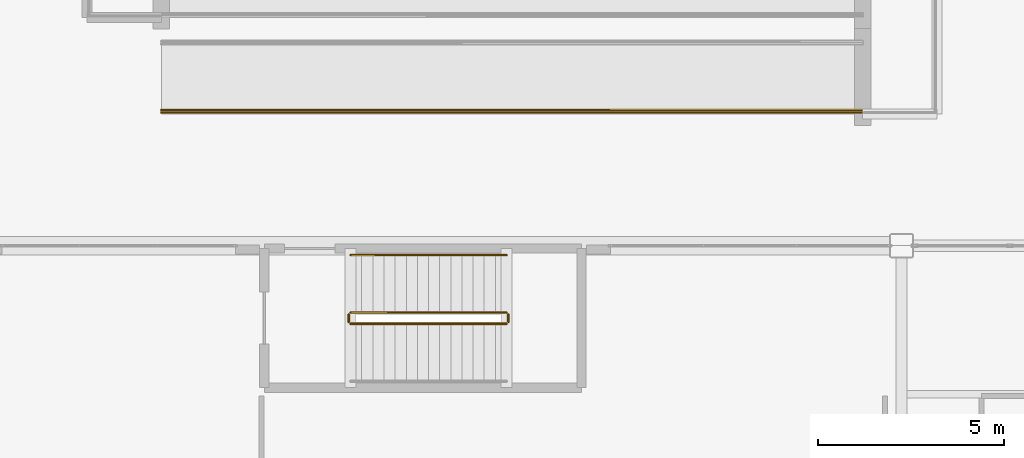
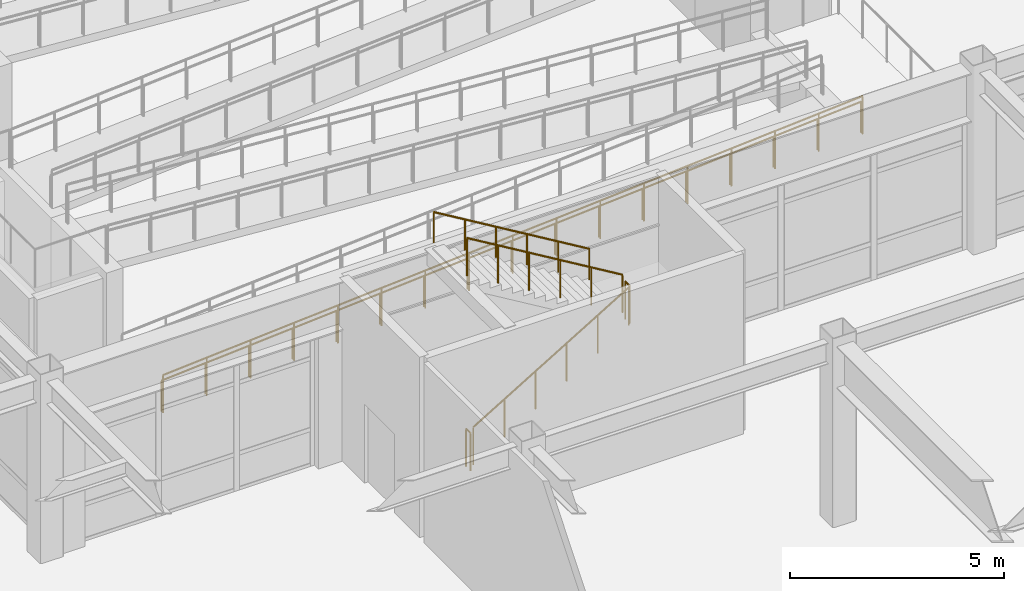
# One storey, part 150 of 165: 7 railings.
"""IFC4 building model written with IfcOpenShell, lengths in metres."""

import ifcopenshell
import ifcopenshell.guid

model = None  # the IFC model being written
_history = None  # IfcOwnerHistory: only IFC2X3 demands one
_inside = {}  # id of a spatial element -> (the spatial element, [elements in it])
_under = {}  # id of a project, library or spatial element -> (it, [spatial elements below it])
_declared = {}  # id of a project -> (the project, [libraries it declares])
_typed = {}  # id of a type object -> (the type object, [elements of that type])
_made_of = {}  # id of a material, layer set ... -> (it, [elements and type objects made of it])


def new_model(schema):
    """Start an empty IFC model of exactly this schema.

    Asked for "IFC4X3", IfcOpenShell would pick the latest addendum, in which some entities
    have other attributes; the version numbers below select the first issue.
    IFC2X3 requires an IfcOwnerHistory on every rooted entity: one is made here for all.
    """
    global model, _history
    if schema == "IFC4X3":
        model = ifcopenshell.file(schema_version=(4, 3, 0, 0))
    else:
        model = ifcopenshell.file(schema=schema)
    _inside.clear()
    _under.clear()
    _declared.clear()
    _typed.clear()
    _made_of.clear()
    _history = None
    if model.schema == "IFC2X3":
        org = make("IfcOrganization", Name="unknown")
        user = make(
            "IfcPersonAndOrganization",
            ThePerson=make("IfcPerson", FamilyName="unknown"),
            TheOrganization=org,
        )
        app = make(
            "IfcApplication",
            ApplicationDeveloper=org,
            Version="unknown",
            ApplicationFullName="unknown",
            ApplicationIdentifier="unknown",
        )
        _history = make(
            "IfcOwnerHistory",
            OwningUser=user,
            OwningApplication=app,
            ChangeAction="ADDED",
            CreationDate=0,
        )
    return model


def make(cls, **values):
    """One entity of the class cls with the attributes given. An attribute that is None is left unset."""
    return model.create_entity(
        cls, **{name: value for name, value in values.items() if value is not None}
    )


def rooted(cls, **values):
    """An entity with a GlobalId (a new one), such as an element, a storey or a relation."""
    return make(cls, GlobalId=ifcopenshell.guid.new(), OwnerHistory=_history, **values)


def si_unit(unit_type, name, prefix=None):
    """IfcSIUnit, for example si_unit("LENGTHUNIT", "METRE", prefix="MILLI")."""
    return make("IfcSIUnit", UnitType=unit_type, Prefix=prefix, Name=name)


def assignment(units):
    """IfcUnitAssignment: the units of a project."""
    return None if units is None else make("IfcUnitAssignment", Units=units)


def point(xyz):
    """IfcCartesianPoint."""
    return None if xyz is None else make("IfcCartesianPoint", Coordinates=xyz)


def direction(xyz):
    """IfcDirection."""
    return None if xyz is None else make("IfcDirection", DirectionRatios=xyz)


def frame(location, z_axis=None, x_axis=None):
    """IfcAxis2Placement3D, a coordinate frame: its origin and axes. An axis left out is left unset."""
    return make(
        "IfcAxis2Placement3D",
        Location=point(location),
        Axis=direction(z_axis),
        RefDirection=direction(x_axis),
    )


def frame_2d(location, x_axis=None):
    """IfcAxis2Placement2D, a coordinate frame in the plane: its origin and x axis."""
    return make(
        "IfcAxis2Placement2D", Location=point(location), RefDirection=direction(x_axis)
    )


def origin():
    """The frame at (0, 0, 0) with its axes left unset."""
    return frame((0.0, 0.0, 0.0))


def origin_2d():
    """The frame at (0, 0) in the plane with its x axis left unset."""
    return frame_2d((0.0, 0.0))


def place(relative_to, where):
    """IfcLocalPlacement: puts the frame where relative to a parent placement (None: the world)."""
    return make(
        "IfcLocalPlacement", PlacementRelTo=relative_to, RelativePlacement=where
    )


def context(
    kind, dimensions, precision=None, world=None, true_north=None, identifier=None
):
    """IfcGeometricRepresentationContext, for example the 3D "Model" context."""
    return make(
        "IfcGeometricRepresentationContext",
        ContextIdentifier=identifier,
        ContextType=kind,
        CoordinateSpaceDimension=dimensions,
        Precision=precision,
        WorldCoordinateSystem=world,
        TrueNorth=true_north,
    )


def subcontext(parent, identifier, kind, view, scale=None):
    """IfcGeometricRepresentationSubContext, for example "Body" below "Model"."""
    return make(
        "IfcGeometricRepresentationSubContext",
        ContextIdentifier=identifier,
        ContextType=kind,
        ParentContext=parent,
        TargetScale=scale,
        TargetView=view,
    )


def project(units=None, contexts=None):
    """IfcProject with its units and contexts."""
    return rooted(
        "IfcProject",
        Name="project",
        RepresentationContexts=contexts,
        UnitsInContext=assignment(units),
    )


def spatial(cls, under=None, at=None, **own):
    """A site, building, storey or space (cls), placed at a placement, below another one or the project."""
    s = rooted(cls, ObjectPlacement=at, **own)
    if under is not None:
        _under.setdefault(under.id(), (under, []))[1].append(s)
    return s


def profile(cls, at=None, kind="AREA", **sizes):
    """A parametric profile (cls). Its sizes go by their IFC names, for example OverallWidth=200.0."""
    return make(cls, ProfileType=kind, Position=at, **sizes)


def circle(**sizes):
    """IfcCircleProfileDef."""
    return profile("IfcCircleProfileDef", **sizes)


def extrude(swept, where, along, depth):
    """IfcExtrudedAreaSolid: the profile swept, set in the frame where, extruded along a direction by depth."""
    return make(
        "IfcExtrudedAreaSolid",
        SweptArea=swept,
        Position=where,
        ExtrudedDirection=direction(along),
        Depth=depth,
    )


def shape(context_of_items, identifier, shape_type, items):
    """IfcShapeRepresentation: the items that make up one representation, for example the "Body"."""
    return make(
        "IfcShapeRepresentation",
        ContextOfItems=context_of_items,
        RepresentationIdentifier=identifier,
        RepresentationType=shape_type,
        Items=items,
    )


def material(Name=None, Category=None):
    """IfcMaterial."""
    return make("IfcMaterial", Name=Name, Category=Category)


def made_of(thing, what):
    """Note that an element or type object is made of a material, layer set ...; save() writes the relation."""
    if what is not None:
        _made_of.setdefault(what.id(), (what, []))[1].append(thing)
    return thing


def type_object(cls, material=None, **own):
    """A type object (cls), such as IfcWallType, which elements share."""
    return made_of(rooted(cls, **own), material)


def element(
    cls,
    number,
    at=None,
    inside=None,
    cuts=None,
    type_object=None,
    material=None,
    context=None,
    identifier="Body",
    shape_type=None,
    held_by="IfcProductDefinitionShape",
    body=None,
    shapes=None,
    **own,
):
    """One element of the class cls, such as IfcWall. Its Tag is "e" and its number.

    at: its placement. inside: the storey or other place that contains it. cuts: it is an
    opening in that element (IfcRelVoidsElement). A single representation is given by context,
    identifier, shape_type and body (its items); several are given by shapes. held_by: the class
    of the entity that holds the representations. save() writes the other relations.
    """
    e = rooted(cls, Tag="e%d" % number, ObjectPlacement=at, **own)
    if body is not None:
        shapes = [shape(context, identifier, shape_type, body)]
    if shapes is not None:
        e.Representation = make(held_by, Representations=shapes)
    if inside is not None:
        _inside.setdefault(inside.id(), (inside, []))[1].append(e)
    if cuts is not None:
        rooted(
            "IfcRelVoidsElement", RelatingBuildingElement=cuts, RelatedOpeningElement=e
        )
    if type_object is not None:
        _typed.setdefault(type_object.id(), (type_object, []))[1].append(e)
    return made_of(e, material)


def aggregate(whole, parts):
    """IfcRelAggregates: a whole, such as a stair, and the parts it consists of."""
    return rooted("IfcRelAggregates", RelatingObject=whole, RelatedObjects=parts)


def save(model, path):
    """Write the relations noted so far, then the file.

    IfcRelAggregates (storeys below a building ...), IfcRelContainedInSpatialStructure (elements
    in a storey), IfcRelDefinesByType, IfcRelAssociatesMaterial and IfcRelDeclares: one each for
    every whole, place, type object, material and project.
    """
    for whole, parts in _under.values():
        aggregate(whole, parts)
    for where, things in _inside.values():
        rooted(
            "IfcRelContainedInSpatialStructure",
            RelatedElements=things,
            RelatingStructure=where,
        )
    for kind, things in _typed.values():
        rooted("IfcRelDefinesByType", RelatedObjects=things, RelatingType=kind)
    for what, things in _made_of.values():
        rooted("IfcRelAssociatesMaterial", RelatedObjects=things, RelatingMaterial=what)
    for by, libraries in _declared.values():
        rooted("IfcRelDeclares", RelatingContext=by, RelatedDefinitions=libraries)
    model.write(path)


model = new_model("IFC4")

# Units and contexts
model_context = context("Model", 3, precision=1e-05, world=origin(), true_north=direction((0.0, 1.0)))
body_context = subcontext(model_context, "Body", "Model", "MODEL_VIEW")
ifc_project = project(units=[si_unit("LENGTHUNIT", "METRE"), si_unit("AREAUNIT", "SQUARE_METRE"), si_unit("VOLUMEUNIT", "CUBIC_METRE"), si_unit("PLANEANGLEUNIT", "RADIAN"), si_unit("MASSUNIT", "GRAM", prefix="KILO")], contexts=[model_context])

# Site, building, storey
site_placement = place(None, origin())
site = spatial("IfcSite", under=ifc_project, at=site_placement, CompositionType="ELEMENT")
building_placement = place(site_placement, origin())
building = spatial("IfcBuilding", under=site, at=building_placement, Name="Kazehara Bluff Congress Hotel", CompositionType="ELEMENT")
storey_placement = place(building_placement, origin())
storey = spatial("IfcBuildingStorey", under=building, at=storey_placement, Name="L00", CompositionType="ELEMENT", Elevation=0.0)

# Railings
ifc_material_1 = material(Name="Painted galvanised steel", Category="steel")
railing_type_1 = type_object("IfcRailingType", Name="TP-GRD-EXT", PredefinedType="BALUSTRADE", material=ifc_material_1)
railing_1_placement = place(storey_placement, frame((72.89990234375, 60.0400390625, 0.0)))
element("IfcRailing", 1, at=railing_1_placement, inside=storey, type_object=railing_type_1, Name="Accessible bluff garden ramp R2 edge guard F1-S", PredefinedType="BALUSTRADE", context=body_context, shape_type="SweptSolid", body=[
    extrude(circle(Radius=0.02392578125, at=origin_2d()), frame((0.0, 0.0, 1.076171875), z_axis=(0.997458372801, 0.0, 0.071251628258), x_axis=(0.0, 1.0, 0.0)), (0.0, 0.0, 1.0), 18.9482421875),
    extrude(circle(Radius=0.02099609375, at=origin_2d()), origin(), (0.0, 0.0, 1.0), 1.052001953125),
    extrude(circle(Radius=0.02099609375, at=origin_2d()), frame((1.18115234375, 0.0, 0.08447265625)), (0.0, 0.0, 1.0), 1.052001953125),
    extrude(circle(Radius=0.02099609375, at=origin_2d()), frame((2.362548828125, 0.0, 0.168701171875)), (0.0, 0.0, 1.0), 1.052001953125),
    extrude(circle(Radius=0.02099609375, at=origin_2d()), frame((3.543701171875, 0.0, 0.253173828125)), (0.0, 0.0, 1.0), 1.052001953125),
    extrude(circle(Radius=0.02099609375, at=origin_2d()), frame((4.72509765625, 0.0, 0.33740234375)), (0.0, 0.0, 1.0), 1.052001953125),
    extrude(circle(Radius=0.02099609375, at=origin_2d()), frame((5.90625, 0.0, 0.421875)), (0.0, 0.0, 1.0), 1.052001953125),
    extrude(circle(Radius=0.02099609375, at=origin_2d()), frame((7.087646484375, 0.0, 0.50634765625)), (0.0, 0.0, 1.0), 1.052001953125),
    extrude(circle(Radius=0.02099609375, at=origin_2d()), frame((8.268798828125, 0.0, 0.590576171875)), (0.0, 0.0, 1.0), 1.052001953125),
    extrude(circle(Radius=0.02099609375, at=origin_2d()), frame((9.4501953125, 0.0, 0.675048828125)), (0.0, 0.0, 1.0), 1.052001953125),
    extrude(circle(Radius=0.02099609375, at=origin_2d()), frame((10.63134765625, 0.0, 0.759521484375)), (0.0, 0.0, 1.0), 1.052001953125),
    extrude(circle(Radius=0.02099609375, at=origin_2d()), frame((11.8125, 0.0, 0.84375)), (0.0, 0.0, 1.0), 1.052001953125),
    extrude(circle(Radius=0.02099609375, at=origin_2d()), frame((12.993896484375, 0.0, 0.92822265625)), (0.0, 0.0, 1.0), 1.052001953125),
    extrude(circle(Radius=0.02099609375, at=origin_2d()), frame((14.175048828125, 0.0, 1.0126953125)), (0.0, 0.0, 1.0), 1.052001953125),
    extrude(circle(Radius=0.02099609375, at=origin_2d()), frame((15.3564453125, 0.0, 1.096923828125)), (0.0, 0.0, 1.0), 1.052001953125),
    extrude(circle(Radius=0.02099609375, at=origin_2d()), frame((16.53759765625, 0.0, 1.181396484375)), (0.0, 0.0, 1.0), 1.052001953125),
    extrude(circle(Radius=0.02099609375, at=origin_2d()), frame((17.718994140625, 0.0, 1.265625)), (0.0, 0.0, 1.0), 1.052001953125),
    extrude(circle(Radius=0.02099609375, at=origin_2d()), frame((18.900146484375, 0.0, 1.35009765625)), (0.0, 0.0, 1.0), 1.052001953125),
])
ifc_material_2 = material(Name="Brushed stainless steel", Category="steel")
railing_type_2 = type_object("IfcRailingType", Name="TP-GRD-INT", PredefinedType="GUARDRAIL", material=ifc_material_2)
railing_2_placement = place(storey_placement, frame((78.0, 54.35009765625, 0.179931640625)))
element("IfcRailing", 2, at=railing_2_placement, inside=storey, type_object=railing_type_2, Name="L00 ST-09 stair guard 1", PredefinedType="GUARDRAIL", context=body_context, shape_type="SweptSolid", body=[
    extrude(circle(Radius=0.02392578125, at=origin_2d()), frame((0.0, 0.0, 1.076171875), z_axis=(0.857488527567, 0.0, 0.514503085598), x_axis=(0.0, 1.0, 0.0)), (0.0, 0.0, 1.0), 4.89794921875),
    extrude(circle(Radius=0.02099609375, at=origin_2d()), origin(), (0.0, 0.0, 1.0), 1.052001953125),
    extrude(circle(Radius=0.02099609375, at=origin_2d()), frame((0.840087890625, 0.0, 0.50390625)), (0.0, 0.0, 1.0), 1.052001953125),
    extrude(circle(Radius=0.02099609375, at=origin_2d()), frame((1.679931640625, 0.0, 1.008056640625)), (0.0, 0.0, 1.0), 1.052001953125),
    extrude(circle(Radius=0.02099609375, at=origin_2d()), frame((2.52001953125, 0.0, 1.511962890625)), (0.0, 0.0, 1.0), 1.052001953125),
    extrude(circle(Radius=0.02099609375, at=origin_2d()), frame((3.35986328125, 0.0, 2.01611328125)), (0.0, 0.0, 1.0), 1.052001953125),
    extrude(circle(Radius=0.02099609375, at=origin_2d()), frame((4.199951171875, 0.0, 2.52001953125)), (0.0, 0.0, 1.0), 1.052001953125),
])
railing_3_placement = place(storey_placement, frame((82.25, 54.39990234375, 2.699951171875)))
element("IfcRailing", 3, at=railing_3_placement, inside=storey, type_object=railing_type_2, Name="L00 ST-09 stair guard 2", PredefinedType="GUARDRAIL", context=body_context, shape_type="SweptSolid", body=[
    extrude(circle(Radius=0.02392578125, at=origin_2d()), frame((0.0, 0.0, 1.076171875), z_axis=(0.0, 1.0, 0.0), x_axis=(-1.0, 0.0, 0.0)), (0.0, 0.0, 1.0), 0.2001953125),
    extrude(circle(Radius=0.02099609375, at=origin_2d()), origin(), (0.0, 0.0, 1.0), 1.052001953125),
    extrude(circle(Radius=0.02099609375, at=origin_2d()), frame((0.0, 0.2001953125, 0.0)), (0.0, 0.0, 1.0), 1.052001953125),
])
railing_4_placement = place(storey_placement, frame((82.199951171875, 54.64990234375, 2.8798828125)))
element("IfcRailing", 4, at=railing_4_placement, inside=storey, type_object=railing_type_2, Name="L00 ST-09 stair guard 3", PredefinedType="GUARDRAIL", context=body_context, shape_type="SweptSolid", body=[
    extrude(circle(Radius=0.02392578125, at=origin_2d()), frame((0.0, 0.0, 1.076171875), z_axis=(-0.857488527567, 0.0, 0.514503085598), x_axis=(0.0, -1.0, 0.0)), (0.0, 0.0, 1.0), 4.89794921875),
    extrude(circle(Radius=0.02099609375, at=origin_2d()), origin(), (0.0, 0.0, 1.0), 1.052001953125),
    extrude(circle(Radius=0.02099609375, at=origin_2d()), frame((-0.840087890625, 0.0, 0.50390625)), (0.0, 0.0, 1.0), 1.052001953125),
    extrude(circle(Radius=0.02099609375, at=origin_2d()), frame((-1.679931640625, 0.0, 1.008056640625)), (0.0, 0.0, 1.0), 1.052001953125),
    extrude(circle(Radius=0.02099609375, at=origin_2d()), frame((-2.52001953125, 0.0, 1.511962890625)), (0.0, 0.0, 1.0), 1.052001953125),
    extrude(circle(Radius=0.02099609375, at=origin_2d()), frame((-3.35986328125, 0.0, 2.01611328125)), (0.0, 0.0, 1.0), 1.052001953125),
    extrude(circle(Radius=0.02099609375, at=origin_2d()), frame((-4.199951171875, 0.0, 2.52001953125)), (0.0, 0.0, 1.0), 1.052001953125),
])
railing_5_placement = place(storey_placement, frame((77.949951171875, 54.39990234375, 0.0)))
element("IfcRailing", 5, at=railing_5_placement, inside=storey, type_object=railing_type_2, Name="L00 ST-09 stair guard 4", PredefinedType="GUARDRAIL", context=body_context, shape_type="SweptSolid", body=[
    extrude(circle(Radius=0.02392578125, at=origin_2d()), frame((0.0, 0.0, 1.076171875), z_axis=(0.0, 1.0, 0.0), x_axis=(-1.0, 0.0, 0.0)), (0.0, 0.0, 1.0), 0.2001953125),
    extrude(circle(Radius=0.02099609375, at=origin_2d()), origin(), (0.0, 0.0, 1.0), 1.052001953125),
    extrude(circle(Radius=0.02099609375, at=origin_2d()), frame((0.0, 0.2001953125, 0.0)), (0.0, 0.0, 1.0), 1.052001953125),
])
ifc_material_3 = material(Name="Brushed stainless steel", Category="steel")
railing_type_3 = type_object("IfcRailingType", Name="TP-HR-INT", PredefinedType="HANDRAIL", material=ifc_material_3)
railing_6_placement = place(storey_placement, frame((82.199951171875, 56.199951171875, 2.8798828125)))
element("IfcRailing", 6, at=railing_6_placement, inside=storey, type_object=railing_type_3, Name="L00 ST-09 stair handrail 2", PredefinedType="HANDRAIL", context=body_context, shape_type="SweptSolid", body=[
    extrude(circle(Radius=0.02392578125, at=origin_2d()), frame((0.0, 0.0, 0.8759765625), z_axis=(-0.857488527567, 0.0, 0.514503085598), x_axis=(0.0, -1.0, 0.0)), (0.0, 0.0, 1.0), 4.89794921875),
    extrude(circle(Radius=0.02099609375, at=origin_2d()), origin(), (0.0, 0.0, 1.0), 0.851806640625),
    extrude(circle(Radius=0.02099609375, at=origin_2d()), frame((-0.840087890625, 0.0, 0.50390625)), (0.0, 0.0, 1.0), 0.851806640625),
    extrude(circle(Radius=0.02099609375, at=origin_2d()), frame((-1.679931640625, 0.0, 1.008056640625)), (0.0, 0.0, 1.0), 0.851806640625),
    extrude(circle(Radius=0.02099609375, at=origin_2d()), frame((-2.52001953125, 0.0, 1.511962890625)), (0.0, 0.0, 1.0), 0.851806640625),
    extrude(circle(Radius=0.02099609375, at=origin_2d()), frame((-3.35986328125, 0.0, 2.01611328125)), (0.0, 0.0, 1.0), 0.851806640625),
    extrude(circle(Radius=0.02099609375, at=origin_2d()), frame((-4.199951171875, 0.0, 2.52001953125)), (0.0, 0.0, 1.0), 0.851806640625),
])
ifc_material_4 = material(Name="Painted galvanised steel", Category="steel")
railing_type_4 = type_object("IfcRailingType", Name="TP-HR-RMP", PredefinedType="HANDRAIL", material=ifc_material_4)
railing_7_placement = place(storey_placement, frame((72.89990234375, 60.110107421875, 0.0)))
element("IfcRailing", 7, at=railing_7_placement, inside=storey, type_object=railing_type_4, Name="Accessible bluff garden ramp R2 handrail F1-S", PredefinedType="HANDRAIL", context=body_context, shape_type="SweptSolid", body=[
    extrude(circle(Radius=0.02392578125, at=origin_2d()), frame((0.0, 0.0, 0.8759765625), z_axis=(0.997458372801, 0.0, 0.071251628258), x_axis=(0.0, 1.0, 0.0)), (0.0, 0.0, 1.0), 18.9482421875),
    extrude(circle(Radius=0.02099609375, at=origin_2d()), origin(), (0.0, 0.0, 1.0), 0.851806640625),
    extrude(circle(Radius=0.02099609375, at=origin_2d()), frame((1.18115234375, 0.0, 0.08447265625)), (0.0, 0.0, 1.0), 0.851806640625),
    extrude(circle(Radius=0.02099609375, at=origin_2d()), frame((2.362548828125, 0.0, 0.168701171875)), (0.0, 0.0, 1.0), 0.851806640625),
    extrude(circle(Radius=0.02099609375, at=origin_2d()), frame((3.543701171875, 0.0, 0.253173828125)), (0.0, 0.0, 1.0), 0.851806640625),
    extrude(circle(Radius=0.02099609375, at=origin_2d()), frame((4.72509765625, 0.0, 0.33740234375)), (0.0, 0.0, 1.0), 0.851806640625),
    extrude(circle(Radius=0.02099609375, at=origin_2d()), frame((5.90625, 0.0, 0.421875)), (0.0, 0.0, 1.0), 0.851806640625),
    extrude(circle(Radius=0.02099609375, at=origin_2d()), frame((7.087646484375, 0.0, 0.50634765625)), (0.0, 0.0, 1.0), 0.851806640625),
    extrude(circle(Radius=0.02099609375, at=origin_2d()), frame((8.268798828125, 0.0, 0.590576171875)), (0.0, 0.0, 1.0), 0.851806640625),
    extrude(circle(Radius=0.02099609375, at=origin_2d()), frame((9.4501953125, 0.0, 0.675048828125)), (0.0, 0.0, 1.0), 0.851806640625),
    extrude(circle(Radius=0.02099609375, at=origin_2d()), frame((10.63134765625, 0.0, 0.759521484375)), (0.0, 0.0, 1.0), 0.851806640625),
    extrude(circle(Radius=0.02099609375, at=origin_2d()), frame((11.8125, 0.0, 0.84375)), (0.0, 0.0, 1.0), 0.851806640625),
    extrude(circle(Radius=0.02099609375, at=origin_2d()), frame((12.993896484375, 0.0, 0.92822265625)), (0.0, 0.0, 1.0), 0.851806640625),
    extrude(circle(Radius=0.02099609375, at=origin_2d()), frame((14.175048828125, 0.0, 1.0126953125)), (0.0, 0.0, 1.0), 0.851806640625),
    extrude(circle(Radius=0.02099609375, at=origin_2d()), frame((15.3564453125, 0.0, 1.096923828125)), (0.0, 0.0, 1.0), 0.851806640625),
    extrude(circle(Radius=0.02099609375, at=origin_2d()), frame((16.53759765625, 0.0, 1.181396484375)), (0.0, 0.0, 1.0), 0.851806640625),
    extrude(circle(Radius=0.02099609375, at=origin_2d()), frame((17.718994140625, 0.0, 1.265625)), (0.0, 0.0, 1.0), 0.851806640625),
    extrude(circle(Radius=0.02099609375, at=origin_2d()), frame((18.900146484375, 0.0, 1.35009765625)), (0.0, 0.0, 1.0), 0.851806640625),
])

save(model, "model.ifc")
